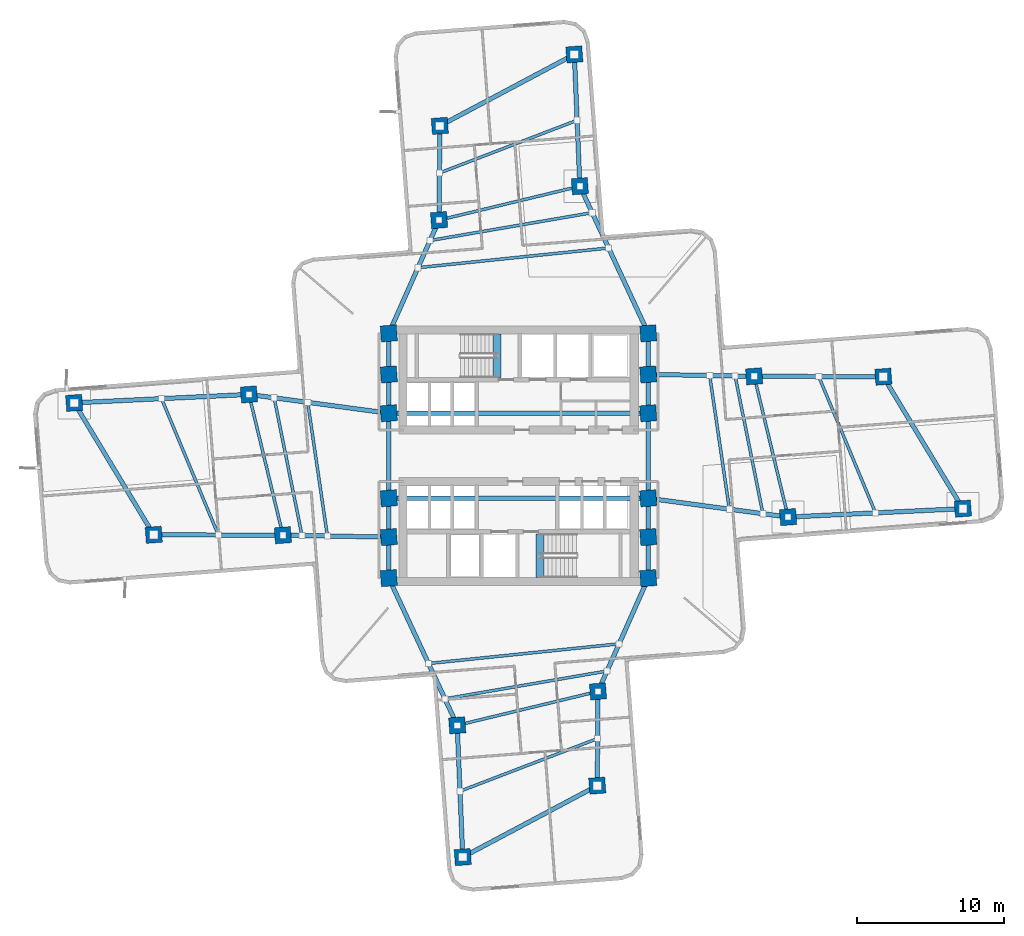
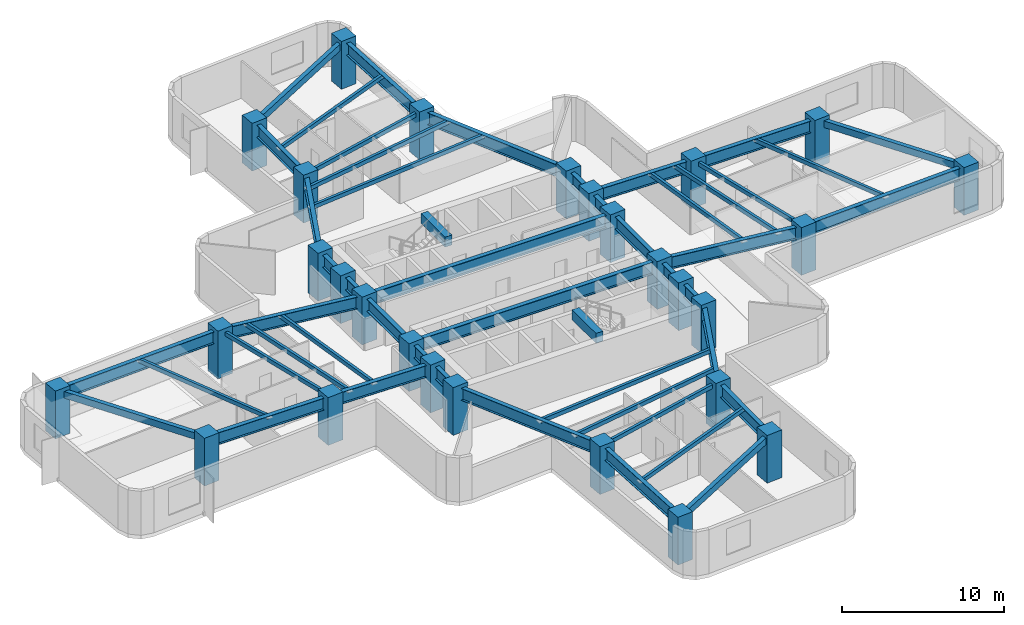
# One storey, part 1 of 10: 50 beams, 28 columns.
"""IFC4 building model written with IfcOpenShell, lengths in metres."""

from ifc_helpers import new_model, si_unit, direction, frame, origin, origin_2d, place, context, subcontext, project, spatial, rectangle, hollow_rectangle, i_section, extrude, material, material_profile, profile_set, type_object, element, save


model = new_model("IFC4")

# Units and contexts
model_context = context("Model", 3, precision=1e-05, world=origin(), true_north=direction((0.0, 1.0)))
body_context = subcontext(model_context, "Body", "Model", "MODEL_VIEW")
ifc_project = project(units=[si_unit("LENGTHUNIT", "METRE"), si_unit("AREAUNIT", "SQUARE_METRE"), si_unit("VOLUMEUNIT", "CUBIC_METRE"), si_unit("PLANEANGLEUNIT", "RADIAN"), si_unit("MASSUNIT", "GRAM", prefix="KILO")], contexts=[model_context])

# Site, building, storey
site_placement = place(None, origin())
site = spatial("IfcSite", under=ifc_project, at=site_placement, CompositionType="ELEMENT")
building_placement = place(site_placement, origin())
building = spatial("IfcBuilding", under=site, at=building_placement, Name="Solmarez Civic Tower", CompositionType="ELEMENT")
storey_placement = place(building_placement, frame((0.0, 0.0, 56.8798828125)))
storey = spatial("IfcBuildingStorey", under=building, at=storey_placement, Name="L14", CompositionType="ELEMENT", Elevation=56.8798828125)

# Columns
ifc_material_1 = material(Name="Concrete C60/75", Category="concrete")
ifc_material_profile_1 = material_profile(ifc_material_1, rectangle(XDim=1.10009765625, YDim=1.10009765625, at=origin_2d()), Name="RC1100X1100")
ifc_profile_set_1 = profile_set([ifc_material_profile_1], Name="Concrete C60/75")
column_type = type_object("IfcColumnType", Name="COL-RC1100", PredefinedType="COLUMN", material=ifc_profile_set_1)
for number, where, z_axis, x_axis, name in (
    (1, (-8.85009765625, -5.550048828125, 0.0), (0.0, 0.0, 1.0), (0.997052752227, 0.076719028127, 0.0), "L14 Structural Column HC1"),
    (2, (-8.85009765625, -2.89990234375, 0.0), (0.0, 0.0, 1.0), (0.997052752227, 0.076719028127, 0.0), "L14 Structural Column HC2"),
    (3, (-8.85009765625, 2.89990234375, 0.0), (0.0, 0.0, 1.0), (0.997052752227, 0.076719028127, 0.0), "L14 Structural Column HC3"),
    (4, (-8.85009765625, 5.550048828125, 0.0), (0.0, 0.0, 1.0), (0.997052752227, 0.076719028127, 0.0), "L14 Structural Column HC4"),
    (5, (8.85009765625, -5.550048828125, 0.0), (0.0, 0.0, 1.0), (0.997052752227, 0.076719028127, 0.0), "L14 Structural Column HC5"),
    (6, (8.85009765625, -2.89990234375, 0.0), (0.0, 0.0, 1.0), (0.997052752227, 0.076719028127, 0.0), "L14 Structural Column HC6"),
    (7, (8.85009765625, 2.89990234375, 0.0), (0.0, 0.0, 1.0), (0.997052752227, 0.076719028127, 0.0), "L14 Structural Column HC7"),
    (8, (8.85009765625, 5.550048828125, 0.0), (0.0, 0.0, 1.0), (0.997052752227, 0.076719028127, 0.0), "L14 Structural Column HC8"),
    (9, (-8.85009765625, 8.35009765625, 0.0), (0.0, 0.0, 1.0), (0.997052752227, 0.076719028127, 0.0), "L14 Structural Column HC9"),
    (10, (8.85009765625, -8.35009765625, 0.0), (0.0, 0.0, 1.0), (0.997052752227, 0.076719028127, 0.0), "L14 Structural Column HC10"),
    (11, (8.85009765625, 8.35009765625, 0.0), (0.0, 0.0, 1.0), (0.997052752227, 0.076719028127, 0.0), "L14 Structural Column HC11"),
    (12, (-8.85009765625, -8.35009765625, 0.0), (0.0, 0.0, 1.0), (0.997052752227, 0.076719028127, 0.0), "L14 Structural Column HC12"),
    (13, (18.39111328125, -4.18408203125, 0.0), (0.0, 0.0, 1.0), (0.997052752227, 0.076719028127, 0.0), "L14 Structural Column EA11"),
    (14, (16.075927734375, 5.4208984375, 0.0), (0.0, 0.0, 1.0), (0.997052752227, 0.076719028127, 0.0), "L14 Structural Column EA12"),
    (15, (30.318115234375, -3.60888671875, 0.0), (0.0, 0.0, 1.0), (0.997052752227, 0.076719028127, 0.0), "L14 Structural Column EA21"),
    (16, (24.887939453125, 5.39306640625, 0.0), (0.0, 0.0, 1.0), (0.997052752227, 0.076719028127, 0.0), "L14 Structural Column EA22"),
    (17, (4.18408203125, 18.39111328125, 0.0), (0.0, 0.0, 1.0), (0.997052752227, 0.076719028127, 0.0), "L14 Structural Column NA11"),
    (18, (-5.4208984375, 16.075927734375, 0.0), (0.0, 0.0, 1.0), (0.997052752227, 0.076719028127, 0.0), "L14 Structural Column NA12"),
    (19, (3.806884765625, 27.383056640625, 0.0), (0.0, 0.0, 1.0), (0.997052752227, 0.076719028127, 0.0), "L14 Structural Column NA21"),
    (20, (-5.3720703125, 22.507080078125, 0.0), (0.0, 0.0, 1.0), (0.997052752227, 0.076719028127, 0.0), "L14 Structural Column NA22"),
    (21, (-18.39111328125, 4.18408203125, 0.0), (0.0, 0.0, 1.0), (0.997052752227, 0.076719028127, 0.0), "L14 Structural Column WA11"),
    (22, (-16.075927734375, -5.4208984375, 0.0), (0.0, 0.0, 1.0), (0.997052752227, 0.076719028127, 0.0), "L14 Structural Column WA12"),
    (23, (-30.318115234375, 3.60888671875, 0.0), (0.0, 0.0, 1.0), (0.997052752227, 0.076719028127, 0.0), "L14 Structural Column WA21"),
    (24, (-24.887939453125, -5.39306640625, 0.0), (0.0, 0.0, 1.0), (0.997052752227, 0.076719028127, 0.0), "L14 Structural Column WA22"),
    (25, (-4.18408203125, -18.39111328125, 0.0), (0.0, 0.0, 1.0), (0.997052752227, 0.076719028127, 0.0), "L14 Structural Column SA11"),
    (26, (5.4208984375, -16.075927734375, 0.0), (0.0, 0.0, 1.0), (0.997052752227, 0.076719028127, 0.0), "L14 Structural Column SA12"),
    (27, (-3.806884765625, -27.383056640625, 0.0), (0.0, 0.0, 1.0), (0.997052752227, 0.076719028127, 0.0), "L14 Structural Column SA21"),
    (28, (5.3720703125, -22.507080078125, 0.0), (0.0, 0.0, 1.0), (0.997052752227, 0.076719028127, 0.0), "L14 Structural Column SA22"),
):
    element("IfcColumn", number, at=place(storey_placement, frame(where, z_axis=z_axis, x_axis=x_axis)), inside=storey, type_object=column_type, Name=name, PredefinedType="COLUMN", context=body_context, shape_type="SweptSolid", body=[
        extrude(rectangle(XDim=1.10009765625, YDim=1.10009765625, at=origin_2d()), origin(), (0.0, 0.0, 1.0), 3.60009765625),
    ])

# Beams
ifc_material_2 = material(Name="Steel S355", Category="steel")
ifc_material_profile_2 = material_profile(ifc_material_2, hollow_rectangle(XDim=0.199951171875, YDim=0.300048828125, WallThickness=0.011962890625, at=origin_2d()), Name="HSS300X200X12")
ifc_profile_set_2 = profile_set([ifc_material_profile_2], Name="Steel S355")
beam_type_1 = type_object("IfcBeamType", Name="BM-JS-HSS300X200", PredefinedType="JOIST", material=ifc_profile_set_2)
beam_1_placement = place(storey_placement, frame((18.39111328125, -4.18408203125, 3.170166015625), z_axis=(-0.234328919867, 0.97215737271, 0.0), x_axis=(-0.97215737271, -0.234328919867, 0.0)))
element("IfcBeam", 29, at=beam_1_placement, inside=storey, type_object=beam_type_1, Name="L14 Secondary Floor Joist BM-L14-EA-T1", PredefinedType="JOIST", context=body_context, shape_type="SweptSolid", body=[
    extrude(hollow_rectangle(XDim=0.199951171875, YDim=0.300048828125, WallThickness=0.011962890625, at=origin_2d()), origin(), (0.0, 0.0, 1.0), 9.880126953125),
])
beam_2_placement = place(storey_placement, frame((24.35498046875, -3.89697265625, 3.170166015625), z_axis=(-0.384310898391, 0.923203733408, 0.0), x_axis=(-0.923203733408, -0.384310898391, 0.0)))
element("IfcBeam", 30, at=beam_2_placement, inside=storey, type_object=beam_type_1, Name="L14 Secondary Floor Joist JS-L14-EA-M2", PredefinedType="JOIST", context=body_context, shape_type="SweptSolid", body=[
    extrude(hollow_rectangle(XDim=0.199951171875, YDim=0.300048828125, WallThickness=0.011962890625, at=origin_2d()), origin(), (0.0, 0.0, 1.0), 10.077880859375),
])
beam_3_placement = place(storey_placement, frame((14.384033203125, -3.64501953125, 3.170166015625), z_axis=(-0.145687649447, 0.989330636743, 0.0), x_axis=(-0.989330636743, -0.145687649447, 0.0)))
element("IfcBeam", 31, at=beam_3_placement, inside=storey, type_object=beam_type_1, Name="L14 Secondary Floor Joist JS-L14-EA-M11", PredefinedType="JOIST", context=body_context, shape_type="SweptSolid", body=[
    extrude(hollow_rectangle(XDim=0.199951171875, YDim=0.300048828125, WallThickness=0.011962890625, at=origin_2d()), origin(), (0.0, 0.0, 1.0), 9.218505859375),
])
beam_4_placement = place(storey_placement, frame((16.674072265625, -3.952880859375, 3.170166015625), z_axis=(-0.198099134772, 0.980181989634, 0.0), x_axis=(-0.980181989634, -0.198099134772, 0.0)))
element("IfcBeam", 32, at=beam_4_placement, inside=storey, type_object=beam_type_1, Name="L14 Secondary Floor Joist JS-L14-EA-M12", PredefinedType="JOIST", context=body_context, shape_type="SweptSolid", body=[
    extrude(hollow_rectangle(XDim=0.199951171875, YDim=0.300048828125, WallThickness=0.011962890625, at=origin_2d()), origin(), (0.0, 0.0, 1.0), 9.5869140625),
])
beam_5_placement = place(storey_placement, frame((4.18408203125, 18.39111328125, 3.170166015625), z_axis=(-0.97215737271, -0.234328919867, 0.0), x_axis=(0.234328919867, -0.97215737271, 0.0)))
element("IfcBeam", 33, at=beam_5_placement, inside=storey, type_object=beam_type_1, Name="L14 Secondary Floor Joist BM-L14-NA-T1", PredefinedType="JOIST", context=body_context, shape_type="SweptSolid", body=[
    extrude(hollow_rectangle(XDim=0.199951171875, YDim=0.300048828125, WallThickness=0.011962890625, at=origin_2d()), origin(), (0.0, 0.0, 1.0), 9.880126953125),
])
beam_6_placement = place(storey_placement, frame((3.9951171875, 22.886962890625, 3.170166015625), z_axis=(-0.933878315551, -0.357590955903, 0.0), x_axis=(0.357590955903, -0.933878315551, 0.0)))
element("IfcBeam", 34, at=beam_6_placement, inside=storey, type_object=beam_type_1, Name="L14 Secondary Floor Joist JS-L14-NA-M2", PredefinedType="JOIST", context=body_context, shape_type="SweptSolid", body=[
    extrude(hollow_rectangle(XDim=0.199951171875, YDim=0.300048828125, WallThickness=0.011962890625, at=origin_2d()), origin(), (0.0, 0.0, 1.0), 10.05615234375),
])
beam_7_placement = place(storey_placement, frame((6.14404296875, 14.174072265625, 3.170166015625), z_axis=(-0.9947100999, -0.102722038325, 0.0), x_axis=(0.102722038325, -0.9947100999, 0.0)))
element("IfcBeam", 35, at=beam_7_placement, inside=storey, type_object=beam_type_1, Name="L14 Secondary Floor Joist JS-L14-NA-M11", PredefinedType="JOIST", context=body_context, shape_type="SweptSolid", body=[
    extrude(hollow_rectangle(XDim=0.199951171875, YDim=0.300048828125, WallThickness=0.011962890625, at=origin_2d()), origin(), (0.0, 0.0, 1.0), 13.07421875),
])
beam_8_placement = place(storey_placement, frame((5.02392578125, 16.583984375, 3.170166015625), z_axis=(-0.985583934907, -0.169187195889, 0.0), x_axis=(0.169187195889, -0.985583934907, 0.0)))
element("IfcBeam", 36, at=beam_8_placement, inside=storey, type_object=beam_type_1, Name="L14 Secondary Floor Joist JS-L14-NA-M12", PredefinedType="JOIST", context=body_context, shape_type="SweptSolid", body=[
    extrude(hollow_rectangle(XDim=0.199951171875, YDim=0.300048828125, WallThickness=0.011962890625, at=origin_2d()), origin(), (0.0, 0.0, 1.0), 11.223876953125),
])
beam_9_placement = place(storey_placement, frame((-18.39111328125, 4.18408203125, 3.170166015625), z_axis=(0.234328919867, -0.97215737271, 0.0), x_axis=(0.97215737271, 0.234328919867, 0.0)))
element("IfcBeam", 37, at=beam_9_placement, inside=storey, type_object=beam_type_1, Name="L14 Secondary Floor Joist BM-L14-WA-T1", PredefinedType="JOIST", context=body_context, shape_type="SweptSolid", body=[
    extrude(hollow_rectangle(XDim=0.199951171875, YDim=0.300048828125, WallThickness=0.011962890625, at=origin_2d()), origin(), (0.0, 0.0, 1.0), 9.880126953125),
])
beam_10_placement = place(storey_placement, frame((-24.35498046875, 3.89697265625, 3.170166015625), z_axis=(0.384310898391, -0.923203733408, 0.0), x_axis=(0.923203733408, 0.384310898391, 0.0)))
element("IfcBeam", 38, at=beam_10_placement, inside=storey, type_object=beam_type_1, Name="L14 Secondary Floor Joist JS-L14-WA-M2", PredefinedType="JOIST", context=body_context, shape_type="SweptSolid", body=[
    extrude(hollow_rectangle(XDim=0.199951171875, YDim=0.300048828125, WallThickness=0.011962890625, at=origin_2d()), origin(), (0.0, 0.0, 1.0), 10.077880859375),
])
beam_11_placement = place(storey_placement, frame((-14.384033203125, 3.64501953125, 3.170166015625), z_axis=(0.145687649447, -0.989330636743, 0.0), x_axis=(0.989330636743, 0.145687649447, 0.0)))
element("IfcBeam", 39, at=beam_11_placement, inside=storey, type_object=beam_type_1, Name="L14 Secondary Floor Joist JS-L14-WA-M11", PredefinedType="JOIST", context=body_context, shape_type="SweptSolid", body=[
    extrude(hollow_rectangle(XDim=0.199951171875, YDim=0.300048828125, WallThickness=0.011962890625, at=origin_2d()), origin(), (0.0, 0.0, 1.0), 9.218505859375),
])
beam_12_placement = place(storey_placement, frame((-16.674072265625, 3.952880859375, 3.170166015625), z_axis=(0.198099134772, -0.980181989634, 0.0), x_axis=(0.980181989634, 0.198099134772, 0.0)))
element("IfcBeam", 40, at=beam_12_placement, inside=storey, type_object=beam_type_1, Name="L14 Secondary Floor Joist JS-L14-WA-M12", PredefinedType="JOIST", context=body_context, shape_type="SweptSolid", body=[
    extrude(hollow_rectangle(XDim=0.199951171875, YDim=0.300048828125, WallThickness=0.011962890625, at=origin_2d()), origin(), (0.0, 0.0, 1.0), 9.5869140625),
])
beam_13_placement = place(storey_placement, frame((-4.18408203125, -18.39111328125, 3.170166015625), z_axis=(0.97215737271, 0.234328919867, 0.0), x_axis=(-0.234328919867, 0.97215737271, 0.0)))
element("IfcBeam", 41, at=beam_13_placement, inside=storey, type_object=beam_type_1, Name="L14 Secondary Floor Joist BM-L14-SA-T1", PredefinedType="JOIST", context=body_context, shape_type="SweptSolid", body=[
    extrude(hollow_rectangle(XDim=0.199951171875, YDim=0.300048828125, WallThickness=0.011962890625, at=origin_2d()), origin(), (0.0, 0.0, 1.0), 9.880126953125),
])
beam_14_placement = place(storey_placement, frame((-3.9951171875, -22.886962890625, 3.170166015625), z_axis=(0.933878315551, 0.357590955903, 0.0), x_axis=(-0.357590955903, 0.933878315551, 0.0)))
element("IfcBeam", 42, at=beam_14_placement, inside=storey, type_object=beam_type_1, Name="L14 Secondary Floor Joist JS-L14-SA-M2", PredefinedType="JOIST", context=body_context, shape_type="SweptSolid", body=[
    extrude(hollow_rectangle(XDim=0.199951171875, YDim=0.300048828125, WallThickness=0.011962890625, at=origin_2d()), origin(), (0.0, 0.0, 1.0), 10.05615234375),
])
beam_15_placement = place(storey_placement, frame((-6.14404296875, -14.174072265625, 3.170166015625), z_axis=(0.9947100999, 0.102722038325, 0.0), x_axis=(-0.102722038325, 0.9947100999, 0.0)))
element("IfcBeam", 43, at=beam_15_placement, inside=storey, type_object=beam_type_1, Name="L14 Secondary Floor Joist JS-L14-SA-M11", PredefinedType="JOIST", context=body_context, shape_type="SweptSolid", body=[
    extrude(hollow_rectangle(XDim=0.199951171875, YDim=0.300048828125, WallThickness=0.011962890625, at=origin_2d()), origin(), (0.0, 0.0, 1.0), 13.07421875),
])
beam_16_placement = place(storey_placement, frame((-5.02392578125, -16.583984375, 3.170166015625), z_axis=(0.985583934907, 0.169187195889, 0.0), x_axis=(-0.169187195889, 0.985583934907, 0.0)))
element("IfcBeam", 44, at=beam_16_placement, inside=storey, type_object=beam_type_1, Name="L14 Secondary Floor Joist JS-L14-SA-M12", PredefinedType="JOIST", context=body_context, shape_type="SweptSolid", body=[
    extrude(hollow_rectangle(XDim=0.199951171875, YDim=0.300048828125, WallThickness=0.011962890625, at=origin_2d()), origin(), (0.0, 0.0, 1.0), 11.223876953125),
])
ifc_material_3 = material(Name="Concrete C50/60", Category="concrete")
ifc_material_profile_3 = material_profile(ifc_material_3, rectangle(XDim=0.5, YDim=0.75, at=origin_2d()), Name="RC500X750")
ifc_profile_set_3 = profile_set([ifc_material_profile_3], Name="Concrete C50/60")
beam_type_2 = type_object("IfcBeamType", Name="BM-PR-RC500X750", PredefinedType="BEAM", material=ifc_profile_set_3)
for number, where, z_axis, x_axis, name in (
    (45, (-1.449951171875, 5.340087890625, 3.233154296875), (0.0, 1.0, 0.0), (-1.0, 0.0, 0.0), "L14 North Stair Threshold Beam"),
    (46, (1.449951171875, -8.300048828125, 3.233154296875), (0.0, 1.0, 0.0), (-1.0, 0.0, 0.0), "L14 South Stair Threshold Beam"),
):
    element("IfcBeam", number, at=place(storey_placement, frame(where, z_axis=z_axis, x_axis=x_axis)), inside=storey, type_object=beam_type_2, Name=name, PredefinedType="BEAM", context=body_context, shape_type="SweptSolid", body=[
        extrude(rectangle(XDim=0.5, YDim=0.75, at=origin_2d()), origin(), (0.0, 0.0, 1.0), 2.9599609375),
    ])
ifc_material_profile_4 = material_profile(ifc_material_2, i_section(OverallWidth=0.303955078125, OverallDepth=0.910888671875, WebThickness=0.015869140625, FlangeThickness=0.02392578125, at=origin_2d()), Name="W36X150")
ifc_profile_set_4 = profile_set([ifc_material_profile_4], Name="Steel S355")
beam_type_3 = type_object("IfcBeamType", Name="BM-PR-W36X150", PredefinedType="BEAM", material=ifc_profile_set_4)
beam_17_placement = place(storey_placement, frame((8.85009765625, -2.89990234375, 2.865234375), z_axis=(0.991063240718, -0.133392851745, 0.0), x_axis=(0.133392851745, 0.991063240718, 0.0)))
element("IfcBeam", 47, at=beam_17_placement, inside=storey, type_object=beam_type_3, Name="L14 Primary Floor Beam BM-L14-EA-R1A", PredefinedType="BEAM", context=body_context, shape_type="SweptSolid", body=[
    extrude(i_section(OverallWidth=0.303955078125, OverallDepth=0.910888671875, WebThickness=0.015869140625, FlangeThickness=0.02392578125, at=origin_2d()), origin(), (0.0, 0.0, 1.0), 9.626953125),
])
beam_18_placement = place(storey_placement, frame((8.85009765625, 5.550048828125, 2.865234375), z_axis=(0.999840308455, -0.017870578882, 0.0), x_axis=(0.017870578882, 0.999840308455, 0.0)))
element("IfcBeam", 48, at=beam_18_placement, inside=storey, type_object=beam_type_3, Name="L14 Primary Floor Beam BM-L14-EA-R1B", PredefinedType="BEAM", context=body_context, shape_type="SweptSolid", body=[
    extrude(i_section(OverallWidth=0.303955078125, OverallDepth=0.910888671875, WebThickness=0.015869140625, FlangeThickness=0.02392578125, at=origin_2d()), origin(), (0.0, 0.0, 1.0), 7.22705078125),
])
beam_19_placement = place(storey_placement, frame((18.39111328125, -4.18408203125, 2.865234375), z_axis=(0.998839135977, 0.048170327398, 0.0), x_axis=(-0.048170327398, 0.998839135977, 0.0)))
element("IfcBeam", 49, at=beam_19_placement, inside=storey, type_object=beam_type_3, Name="L14 Primary Floor Beam BM-L14-EA-R2A", PredefinedType="BEAM", context=body_context, shape_type="SweptSolid", body=[
    extrude(i_section(OverallWidth=0.303955078125, OverallDepth=0.910888671875, WebThickness=0.015869140625, FlangeThickness=0.02392578125, at=origin_2d()), origin(), (0.0, 0.0, 1.0), 11.94091796875),
])
beam_20_placement = place(storey_placement, frame((16.075927734375, 5.4208984375, 2.865234375), z_axis=(0.99999501223, -0.003158403928, 0.0), x_axis=(0.003158403928, 0.99999501223, 0.0)))
element("IfcBeam", 50, at=beam_20_placement, inside=storey, type_object=beam_type_3, Name="L14 Primary Floor Beam BM-L14-EA-R2B", PredefinedType="BEAM", context=body_context, shape_type="SweptSolid", body=[
    extrude(i_section(OverallWidth=0.303955078125, OverallDepth=0.910888671875, WebThickness=0.015869140625, FlangeThickness=0.02392578125, at=origin_2d()), origin(), (0.0, 0.0, 1.0), 8.81201171875),
])
beam_21_placement = place(storey_placement, frame((8.85009765625, 8.35009765625, 2.865234375), z_axis=(-0.421417065364, 0.906866945599, 0.0), x_axis=(-0.906866945599, -0.421417065364, 0.0)))
element("IfcBeam", 51, at=beam_21_placement, inside=storey, type_object=beam_type_3, Name="L14 Primary Floor Beam BM-L14-NA-R1A", PredefinedType="BEAM", context=body_context, shape_type="SweptSolid", body=[
    extrude(i_section(OverallWidth=0.303955078125, OverallDepth=0.910888671875, WebThickness=0.015869140625, FlangeThickness=0.02392578125, at=origin_2d()), origin(), (0.0, 0.0, 1.0), 11.072265625),
])
beam_22_placement = place(storey_placement, frame((-8.85009765625, 8.35009765625, 2.865234375), z_axis=(0.405693556952, 0.914009156326, 0.0), x_axis=(-0.914009156326, 0.405693556952, 0.0)))
element("IfcBeam", 52, at=beam_22_placement, inside=storey, type_object=beam_type_3, Name="L14 Primary Floor Beam BM-L14-NA-R1B", PredefinedType="BEAM", context=body_context, shape_type="SweptSolid", body=[
    extrude(i_section(OverallWidth=0.303955078125, OverallDepth=0.910888671875, WebThickness=0.015869140625, FlangeThickness=0.02392578125, at=origin_2d()), origin(), (0.0, 0.0, 1.0), 8.45263671875),
])
beam_23_placement = place(storey_placement, frame((4.18408203125, 18.39111328125, 2.865234375), z_axis=(-0.041911499832, 0.999121327058, 0.0), x_axis=(-0.999121327058, -0.041911499832, 0.0)))
element("IfcBeam", 53, at=beam_23_placement, inside=storey, type_object=beam_type_3, Name="L14 Primary Floor Beam BM-L14-NA-R2A", PredefinedType="BEAM", context=body_context, shape_type="SweptSolid", body=[
    extrude(i_section(OverallWidth=0.303955078125, OverallDepth=0.910888671875, WebThickness=0.015869140625, FlangeThickness=0.02392578125, at=origin_2d()), origin(), (0.0, 0.0, 1.0), 8.999755859375),
])
beam_24_placement = place(storey_placement, frame((-5.4208984375, 16.075927734375, 2.865234375), z_axis=(0.007592219108, 0.999971178689, 0.0), x_axis=(-0.999971178689, 0.007592219108, 0.0)))
element("IfcBeam", 54, at=beam_24_placement, inside=storey, type_object=beam_type_3, Name="L14 Primary Floor Beam BM-L14-NA-R2B", PredefinedType="BEAM", context=body_context, shape_type="SweptSolid", body=[
    extrude(i_section(OverallWidth=0.303955078125, OverallDepth=0.910888671875, WebThickness=0.015869140625, FlangeThickness=0.02392578125, at=origin_2d()), origin(), (0.0, 0.0, 1.0), 6.431396484375),
])
beam_25_placement = place(storey_placement, frame((-8.85009765625, 2.89990234375, 2.865234375), z_axis=(-0.991063240718, 0.133392851745, 0.0), x_axis=(-0.133392851745, -0.991063240718, 0.0)))
element("IfcBeam", 55, at=beam_25_placement, inside=storey, type_object=beam_type_3, Name="L14 Primary Floor Beam BM-L14-WA-R1A", PredefinedType="BEAM", context=body_context, shape_type="SweptSolid", body=[
    extrude(i_section(OverallWidth=0.303955078125, OverallDepth=0.910888671875, WebThickness=0.015869140625, FlangeThickness=0.02392578125, at=origin_2d()), origin(), (0.0, 0.0, 1.0), 9.626953125),
])
beam_26_placement = place(storey_placement, frame((-8.85009765625, -5.550048828125, 2.865234375), z_axis=(-0.999840308455, 0.017870578882, 0.0), x_axis=(-0.017870578882, -0.999840308455, 0.0)))
element("IfcBeam", 56, at=beam_26_placement, inside=storey, type_object=beam_type_3, Name="L14 Primary Floor Beam BM-L14-WA-R1B", PredefinedType="BEAM", context=body_context, shape_type="SweptSolid", body=[
    extrude(i_section(OverallWidth=0.303955078125, OverallDepth=0.910888671875, WebThickness=0.015869140625, FlangeThickness=0.02392578125, at=origin_2d()), origin(), (0.0, 0.0, 1.0), 7.22705078125),
])
beam_27_placement = place(storey_placement, frame((-18.39111328125, 4.18408203125, 2.865234375), z_axis=(-0.998839135977, -0.048170327398, 0.0), x_axis=(0.048170327398, -0.998839135977, 0.0)))
element("IfcBeam", 57, at=beam_27_placement, inside=storey, type_object=beam_type_3, Name="L14 Primary Floor Beam BM-L14-WA-R2A", PredefinedType="BEAM", context=body_context, shape_type="SweptSolid", body=[
    extrude(i_section(OverallWidth=0.303955078125, OverallDepth=0.910888671875, WebThickness=0.015869140625, FlangeThickness=0.02392578125, at=origin_2d()), origin(), (0.0, 0.0, 1.0), 11.94091796875),
])
beam_28_placement = place(storey_placement, frame((-16.075927734375, -5.4208984375, 2.865234375), z_axis=(-0.99999501223, 0.003158403928, 0.0), x_axis=(-0.003158403928, -0.99999501223, 0.0)))
element("IfcBeam", 58, at=beam_28_placement, inside=storey, type_object=beam_type_3, Name="L14 Primary Floor Beam BM-L14-WA-R2B", PredefinedType="BEAM", context=body_context, shape_type="SweptSolid", body=[
    extrude(i_section(OverallWidth=0.303955078125, OverallDepth=0.910888671875, WebThickness=0.015869140625, FlangeThickness=0.02392578125, at=origin_2d()), origin(), (0.0, 0.0, 1.0), 8.81201171875),
])
beam_29_placement = place(storey_placement, frame((-8.85009765625, -8.35009765625, 2.865234375), z_axis=(0.421417065364, -0.906866945599, 0.0), x_axis=(0.906866945599, 0.421417065364, 0.0)))
element("IfcBeam", 59, at=beam_29_placement, inside=storey, type_object=beam_type_3, Name="L14 Primary Floor Beam BM-L14-SA-R1A", PredefinedType="BEAM", context=body_context, shape_type="SweptSolid", body=[
    extrude(i_section(OverallWidth=0.303955078125, OverallDepth=0.910888671875, WebThickness=0.015869140625, FlangeThickness=0.02392578125, at=origin_2d()), origin(), (0.0, 0.0, 1.0), 11.072265625),
])
beam_30_placement = place(storey_placement, frame((8.85009765625, -8.35009765625, 2.865234375), z_axis=(-0.405693556952, -0.914009156326, 0.0), x_axis=(0.914009156326, -0.405693556952, 0.0)))
element("IfcBeam", 60, at=beam_30_placement, inside=storey, type_object=beam_type_3, Name="L14 Primary Floor Beam BM-L14-SA-R1B", PredefinedType="BEAM", context=body_context, shape_type="SweptSolid", body=[
    extrude(i_section(OverallWidth=0.303955078125, OverallDepth=0.910888671875, WebThickness=0.015869140625, FlangeThickness=0.02392578125, at=origin_2d()), origin(), (0.0, 0.0, 1.0), 8.45263671875),
])
beam_31_placement = place(storey_placement, frame((-4.18408203125, -18.39111328125, 2.865234375), z_axis=(0.041911499832, -0.999121327058, 0.0), x_axis=(0.999121327058, 0.041911499832, 0.0)))
element("IfcBeam", 61, at=beam_31_placement, inside=storey, type_object=beam_type_3, Name="L14 Primary Floor Beam BM-L14-SA-R2A", PredefinedType="BEAM", context=body_context, shape_type="SweptSolid", body=[
    extrude(i_section(OverallWidth=0.303955078125, OverallDepth=0.910888671875, WebThickness=0.015869140625, FlangeThickness=0.02392578125, at=origin_2d()), origin(), (0.0, 0.0, 1.0), 8.999755859375),
])
beam_32_placement = place(storey_placement, frame((5.4208984375, -16.075927734375, 2.865234375), z_axis=(-0.007592219108, -0.999971178689, 0.0), x_axis=(0.999971178689, -0.007592219108, 0.0)))
element("IfcBeam", 62, at=beam_32_placement, inside=storey, type_object=beam_type_3, Name="L14 Primary Floor Beam BM-L14-SA-R2B", PredefinedType="BEAM", context=body_context, shape_type="SweptSolid", body=[
    extrude(i_section(OverallWidth=0.303955078125, OverallDepth=0.910888671875, WebThickness=0.015869140625, FlangeThickness=0.02392578125, at=origin_2d()), origin(), (0.0, 0.0, 1.0), 6.431396484375),
])
ifc_material_profile_5 = material_profile(ifc_material_2, i_section(OverallWidth=0.306884765625, OverallDepth=0.927001953125, WebThickness=0.019287109375, FlangeThickness=0.031982421875, at=origin_2d()), Name="W36X194")
ifc_profile_set_5 = profile_set([ifc_material_profile_5], Name="Steel S355")
beam_type_4 = type_object("IfcBeamType", Name="BM-PR-W36X194", PredefinedType="BEAM", material=ifc_profile_set_5)
beam_33_placement = place(storey_placement, frame((-8.85009765625, -8.35009765625, 2.856201171875), z_axis=(0.0, 1.0, 0.0), x_axis=(-1.0, 0.0, 0.0)))
element("IfcBeam", 63, at=beam_33_placement, inside=storey, type_object=beam_type_4, Name="L14 Primary Floor Beam BM-L14-HC12-HC1", PredefinedType="BEAM", context=body_context, shape_type="SweptSolid", body=[
    extrude(i_section(OverallWidth=0.306884765625, OverallDepth=0.927001953125, WebThickness=0.019287109375, FlangeThickness=0.031982421875, at=origin_2d()), origin(), (0.0, 0.0, 1.0), 2.800048828125),
])
beam_34_placement = place(storey_placement, frame((-8.85009765625, -5.550048828125, 2.856201171875), z_axis=(0.0, 1.0, 0.0), x_axis=(-1.0, 0.0, 0.0)))
element("IfcBeam", 64, at=beam_34_placement, inside=storey, type_object=beam_type_4, Name="L14 Primary Floor Beam BM-L14-HC1-HC2", PredefinedType="BEAM", context=body_context, shape_type="SweptSolid", body=[
    extrude(i_section(OverallWidth=0.306884765625, OverallDepth=0.927001953125, WebThickness=0.019287109375, FlangeThickness=0.031982421875, at=origin_2d()), origin(), (0.0, 0.0, 1.0), 2.650146484375),
])
beam_35_placement = place(storey_placement, frame((-8.85009765625, -2.89990234375, 2.856201171875), z_axis=(0.0, 1.0, 0.0), x_axis=(-1.0, 0.0, 0.0)))
element("IfcBeam", 65, at=beam_35_placement, inside=storey, type_object=beam_type_4, Name="L14 Primary Floor Beam BM-L14-HC2-HC3", PredefinedType="BEAM", context=body_context, shape_type="SweptSolid", body=[
    extrude(i_section(OverallWidth=0.306884765625, OverallDepth=0.927001953125, WebThickness=0.019287109375, FlangeThickness=0.031982421875, at=origin_2d()), origin(), (0.0, 0.0, 1.0), 5.7998046875),
])
beam_36_placement = place(storey_placement, frame((-8.85009765625, 2.89990234375, 2.856201171875), z_axis=(0.0, 1.0, 0.0), x_axis=(-1.0, 0.0, 0.0)))
element("IfcBeam", 66, at=beam_36_placement, inside=storey, type_object=beam_type_4, Name="L14 Primary Floor Beam BM-L14-HC3-HC4", PredefinedType="BEAM", context=body_context, shape_type="SweptSolid", body=[
    extrude(i_section(OverallWidth=0.306884765625, OverallDepth=0.927001953125, WebThickness=0.019287109375, FlangeThickness=0.031982421875, at=origin_2d()), origin(), (0.0, 0.0, 1.0), 2.650146484375),
])
for number, where, z_axis, x_axis, name in (
    (67, (-8.85009765625, 5.550048828125, 2.856201171875), (0.0, 1.0, 0.0), (-1.0, 0.0, 0.0), "L14 Primary Floor Beam BM-L14-HC4-HC9"),
    (68, (8.85009765625, -8.35009765625, 2.856201171875), (0.0, 1.0, 0.0), (-1.0, 0.0, 0.0), "L14 Primary Floor Beam BM-L14-HC10-HC5"),
):
    element("IfcBeam", number, at=place(storey_placement, frame(where, z_axis=z_axis, x_axis=x_axis)), inside=storey, type_object=beam_type_4, Name=name, PredefinedType="BEAM", context=body_context, shape_type="SweptSolid", body=[
        extrude(i_section(OverallWidth=0.306884765625, OverallDepth=0.927001953125, WebThickness=0.019287109375, FlangeThickness=0.031982421875, at=origin_2d()), origin(), (0.0, 0.0, 1.0), 2.800048828125),
    ])
beam_37_placement = place(storey_placement, frame((8.85009765625, -5.550048828125, 2.856201171875), z_axis=(0.0, 1.0, 0.0), x_axis=(-1.0, 0.0, 0.0)))
element("IfcBeam", 69, at=beam_37_placement, inside=storey, type_object=beam_type_4, Name="L14 Primary Floor Beam BM-L14-HC5-HC6", PredefinedType="BEAM", context=body_context, shape_type="SweptSolid", body=[
    extrude(i_section(OverallWidth=0.306884765625, OverallDepth=0.927001953125, WebThickness=0.019287109375, FlangeThickness=0.031982421875, at=origin_2d()), origin(), (0.0, 0.0, 1.0), 2.650146484375),
])
beam_38_placement = place(storey_placement, frame((8.85009765625, -2.89990234375, 2.856201171875), z_axis=(0.0, 1.0, 0.0), x_axis=(-1.0, 0.0, 0.0)))
element("IfcBeam", 70, at=beam_38_placement, inside=storey, type_object=beam_type_4, Name="L14 Primary Floor Beam BM-L14-HC6-HC7", PredefinedType="BEAM", context=body_context, shape_type="SweptSolid", body=[
    extrude(i_section(OverallWidth=0.306884765625, OverallDepth=0.927001953125, WebThickness=0.019287109375, FlangeThickness=0.031982421875, at=origin_2d()), origin(), (0.0, 0.0, 1.0), 5.7998046875),
])
beam_39_placement = place(storey_placement, frame((8.85009765625, 2.89990234375, 2.856201171875), z_axis=(0.0, 1.0, 0.0), x_axis=(-1.0, 0.0, 0.0)))
element("IfcBeam", 71, at=beam_39_placement, inside=storey, type_object=beam_type_4, Name="L14 Primary Floor Beam BM-L14-HC7-HC8", PredefinedType="BEAM", context=body_context, shape_type="SweptSolid", body=[
    extrude(i_section(OverallWidth=0.306884765625, OverallDepth=0.927001953125, WebThickness=0.019287109375, FlangeThickness=0.031982421875, at=origin_2d()), origin(), (0.0, 0.0, 1.0), 2.650146484375),
])
beam_40_placement = place(storey_placement, frame((8.85009765625, 5.550048828125, 2.856201171875), z_axis=(0.0, 1.0, 0.0), x_axis=(-1.0, 0.0, 0.0)))
element("IfcBeam", 72, at=beam_40_placement, inside=storey, type_object=beam_type_4, Name="L14 Primary Floor Beam BM-L14-HC8-HC11", PredefinedType="BEAM", context=body_context, shape_type="SweptSolid", body=[
    extrude(i_section(OverallWidth=0.306884765625, OverallDepth=0.927001953125, WebThickness=0.019287109375, FlangeThickness=0.031982421875, at=origin_2d()), origin(), (0.0, 0.0, 1.0), 2.800048828125),
])
for number, where, z_axis, x_axis, name in (
    (73, (-8.85009765625, -2.89990234375, 2.856201171875), (1.0, 0.0, 0.0), (0.0, 1.0, 0.0), "L14 Primary Floor Beam BM-L14-HC2-HC6"),
    (74, (-8.85009765625, 2.89990234375, 2.856201171875), (1.0, 0.0, 0.0), (0.0, 1.0, 0.0), "L14 Primary Floor Beam BM-L14-HC3-HC7"),
):
    element("IfcBeam", number, at=place(storey_placement, frame(where, z_axis=z_axis, x_axis=x_axis)), inside=storey, type_object=beam_type_4, Name=name, PredefinedType="BEAM", context=body_context, shape_type="SweptSolid", body=[
        extrude(i_section(OverallWidth=0.306884765625, OverallDepth=0.927001953125, WebThickness=0.019287109375, FlangeThickness=0.031982421875, at=origin_2d()), origin(), (0.0, 0.0, 1.0), 17.7001953125),
    ])
ifc_material_profile_6 = material_profile(ifc_material_2, hollow_rectangle(XDim=0.300048828125, YDim=0.5, WallThickness=0.02001953125, at=origin_2d()), Name="HSS500X300X20")
ifc_profile_set_6 = profile_set([ifc_material_profile_6], Name="Steel S355")
beam_type_5 = type_object("IfcBeamType", Name="BM-SP-HSS500X300", PredefinedType="SPANDREL", material=ifc_profile_set_6)
beam_41_placement = place(storey_placement, frame((30.318115234375, -3.60888671875, 3.070068359375), z_axis=(-0.516522901024, 0.856273374991, 0.0), x_axis=(-0.856273374991, -0.516522901024, 0.0)))
element("IfcBeam", 75, at=beam_41_placement, inside=storey, type_object=beam_type_5, Name="L14 Perimeter Spandrel Beam BM-L14-EA-T2", PredefinedType="SPANDREL", context=body_context, shape_type="SweptSolid", body=[
    extrude(hollow_rectangle(XDim=0.300048828125, YDim=0.5, WallThickness=0.02001953125, at=origin_2d()), origin(), (0.0, 0.0, 1.0), 10.512939453125),
])
beam_42_placement = place(storey_placement, frame((3.806884765625, 27.383056640625, 3.070068359375), z_axis=(-0.883129404808, -0.469129464394, 0.0), x_axis=(0.469129464394, -0.883129404808, 0.0)))
element("IfcBeam", 76, at=beam_42_placement, inside=storey, type_object=beam_type_5, Name="L14 Perimeter Spandrel Beam BM-L14-NA-T2", PredefinedType="SPANDREL", context=body_context, shape_type="SweptSolid", body=[
    extrude(hollow_rectangle(XDim=0.300048828125, YDim=0.5, WallThickness=0.02001953125, at=origin_2d()), origin(), (0.0, 0.0, 1.0), 10.3935546875),
])
beam_43_placement = place(storey_placement, frame((-30.318115234375, 3.60888671875, 3.070068359375), z_axis=(0.516522901024, -0.856273374991, 0.0), x_axis=(0.856273374991, 0.516522901024, 0.0)))
element("IfcBeam", 77, at=beam_43_placement, inside=storey, type_object=beam_type_5, Name="L14 Perimeter Spandrel Beam BM-L14-WA-T2", PredefinedType="SPANDREL", context=body_context, shape_type="SweptSolid", body=[
    extrude(hollow_rectangle(XDim=0.300048828125, YDim=0.5, WallThickness=0.02001953125, at=origin_2d()), origin(), (0.0, 0.0, 1.0), 10.512939453125),
])
beam_44_placement = place(storey_placement, frame((-3.806884765625, -27.383056640625, 3.070068359375), z_axis=(0.883129404808, 0.469129464394, 0.0), x_axis=(-0.469129464394, 0.883129404808, 0.0)))
element("IfcBeam", 78, at=beam_44_placement, inside=storey, type_object=beam_type_5, Name="L14 Perimeter Spandrel Beam BM-L14-SA-T2", PredefinedType="SPANDREL", context=body_context, shape_type="SweptSolid", body=[
    extrude(hollow_rectangle(XDim=0.300048828125, YDim=0.5, WallThickness=0.02001953125, at=origin_2d()), origin(), (0.0, 0.0, 1.0), 10.3935546875),
])

save(model, "model.ifc")
